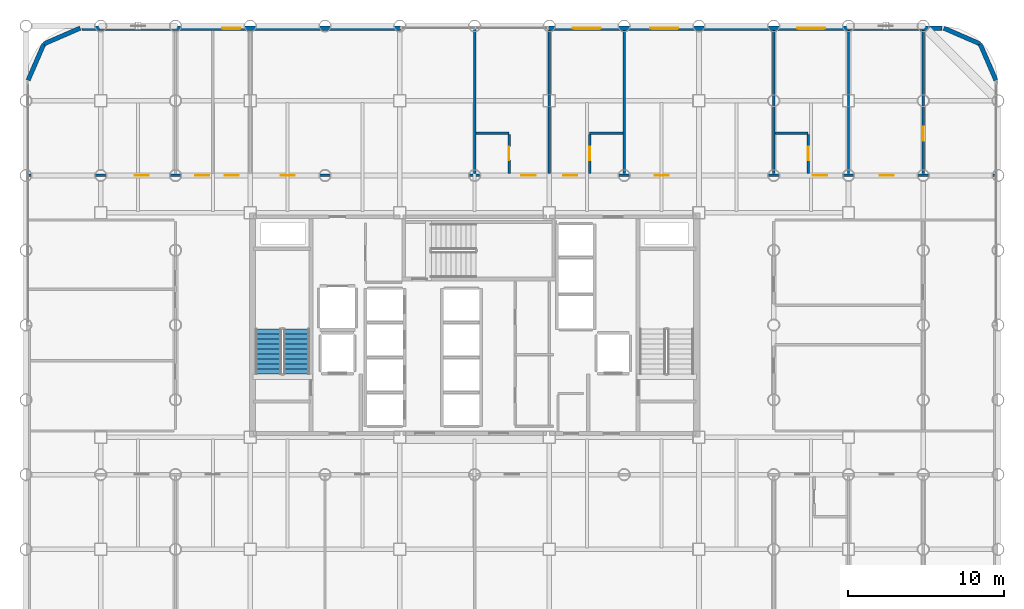
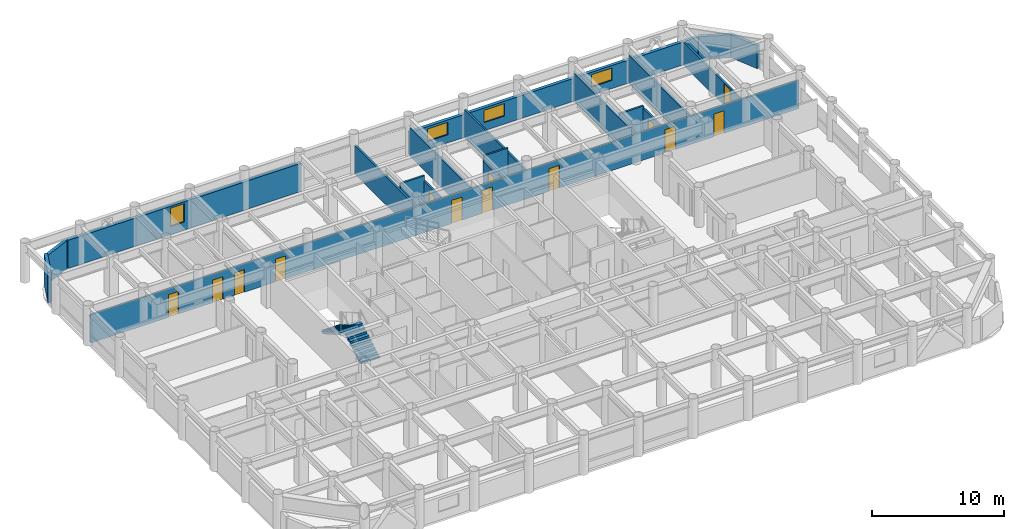
# One storey, part 17 of 19: 19 walls, 13 doors, 4 windows, 2 stair flights, 17 openings, 1 element without a shape of its own.
"""IFC4 building model written with IfcOpenShell, lengths in metres."""

from ifc_helpers import new_model, si_unit, direction, frame, frame_2d, origin, place, context, subcontext, project, spatial, polyline, rectangle, outline, extrude, material, layer, layer_set, type_object, element, fill, aggregate, save


model = new_model("IFC4")

# Units and contexts
model_context = context("Model", 3, precision=1e-05, world=origin(), true_north=direction((0.0, 1.0)))
body_context = subcontext(model_context, "Body", "Model", "MODEL_VIEW")
ifc_project = project(units=[si_unit("LENGTHUNIT", "METRE"), si_unit("AREAUNIT", "SQUARE_METRE"), si_unit("VOLUMEUNIT", "CUBIC_METRE"), si_unit("PLANEANGLEUNIT", "RADIAN"), si_unit("MASSUNIT", "GRAM", prefix="KILO")], contexts=[model_context])

# Site, building, storey
site_placement = place(None, origin())
site = spatial("IfcSite", under=ifc_project, at=site_placement, CompositionType="ELEMENT")
building_placement = place(site_placement, origin())
building = spatial("IfcBuilding", under=site, at=building_placement, Name="Kallvorn Hotel Tower", CompositionType="ELEMENT")
storey_placement = place(building_placement, frame((0.0, 0.0, 67.0)))
storey = spatial("IfcBuildingStorey", under=building, at=storey_placement, Name="L15", CompositionType="ELEMENT", Elevation=67.0)

# Wall, openings, doors
ifc_material_1 = material(Name="Fire-rated double-layer acoustic gypsum drywall EI 60")
ifc_layer_1 = layer(ifc_material_1, 0.159912109375)
ifc_layer_set_1 = layer_set([ifc_layer_1], Name="WL_DEMISE_160")
wall_type_1 = type_object("IfcWallType", Name="WL_DEMISE_160", PredefinedType="PARTITIONING", material=ifc_layer_set_1)
wall_1_placement = place(storey_placement, frame((-28.6298828125, 9.60009765625, 0.0), z_axis=(0.0, 0.0, 1.0), x_axis=(1.0, 0.0, 0.0)))
wall_1 = element("IfcWall", 1, at=wall_1_placement, inside=storey, type_object=wall_type_1, Name="L15 Suite 1502 Standard Twin Room Partition", PredefinedType="PARTITIONING", context=body_context, shape_type="SweptSolid", body=[
    extrude(rectangle(XDim=62.059814453125, YDim=0.159912109375, at=frame_2d((31.02978515625, 0.0))), origin(), (0.0, 0.0, 1.0), 2.6201171875),
])
opening_1_placement = place(wall_1_placement, frame((6.799560546875, 0.0, 0.0)))
opening_1 = element("IfcOpeningElement", 2, at=opening_1_placement, cuts=wall_1, Name="Opening SVD1", PredefinedType="OPENING", context=body_context, shape_type="SweptSolid", body=[
    extrude(rectangle(XDim=0.89990234375, YDim=2.10009765625, at=frame_2d((0.449951171875, 1.050048828125))), frame((0.0, 0.094970703125, 0.0), z_axis=(0.0, -1.0, 0.0), x_axis=(1.0, 0.0, 0.0)), (0.0, 0.0, 1.0), 0.18994140625),
])
opening_2_placement = place(wall_1_placement, frame((54.6201171875, 0.0, 0.0)))
opening_2 = element("IfcOpeningElement", 3, at=opening_2_placement, cuts=wall_1, Name="Opening SVD1", PredefinedType="OPENING", context=body_context, shape_type="SweptSolid", body=[
    extrude(rectangle(XDim=0.89990234375, YDim=2.10009765625, at=frame_2d((0.449951171875, 1.050048828125))), frame((0.0, 0.094970703125, 0.0), z_axis=(0.0, -1.0, 0.0), x_axis=(1.0, 0.0, 0.0)), (0.0, 0.0, 1.0), 0.18994140625),
])
opening_3_placement = place(wall_1_placement, frame((10.68994140625, 0.0, 0.0)))
opening_3 = element("IfcOpeningElement", 4, at=opening_3_placement, cuts=wall_1, Name="Opening SVD1", PredefinedType="OPENING", context=body_context, shape_type="SweptSolid", body=[
    extrude(rectangle(XDim=0.89990234375, YDim=2.10009765625, at=frame_2d((0.449951171875, 1.050048828125))), frame((0.0, 0.094970703125, 0.0), z_axis=(0.0, -1.0, 0.0), x_axis=(1.0, 0.0, 0.0)), (0.0, 0.0, 1.0), 0.18994140625),
])
opening_4_placement = place(wall_1_placement, frame((12.580078125, 0.0, 0.0)))
opening_4 = element("IfcOpeningElement", 5, at=opening_4_placement, cuts=wall_1, Name="Opening SVD1", PredefinedType="OPENING", context=body_context, shape_type="SweptSolid", body=[
    extrude(rectangle(XDim=0.89990234375, YDim=2.10009765625, at=frame_2d((0.449951171875, 1.050048828125))), frame((0.0, 0.094970703125, 0.0), z_axis=(0.0, -1.0, 0.0), x_axis=(1.0, 0.0, 0.0)), (0.0, 0.0, 1.0), 0.18994140625),
])
opening_5_placement = place(wall_1_placement, frame((16.179931640625, 0.0, 0.0)))
opening_5 = element("IfcOpeningElement", 6, at=opening_5_placement, cuts=wall_1, Name="Opening SVD1", PredefinedType="OPENING", context=body_context, shape_type="SweptSolid", body=[
    extrude(rectangle(XDim=0.89990234375, YDim=2.10009765625, at=frame_2d((0.449951171875, 1.050048828125))), frame((0.0, 0.094970703125, 0.0), z_axis=(0.0, -1.0, 0.0), x_axis=(1.0, 0.0, 0.0)), (0.0, 0.0, 1.0), 0.18994140625),
])
opening_6_placement = place(wall_1_placement, frame((31.635009765625, 0.0, 0.0)))
opening_6 = element("IfcOpeningElement", 7, at=opening_6_placement, cuts=wall_1, Name="Opening GD1", PredefinedType="OPENING", context=body_context, shape_type="SweptSolid", body=[
    extrude(rectangle(XDim=0.919921875, YDim=2.14990234375, at=frame_2d((0.4599609375, 1.074951171875))), frame((0.0, 0.094970703125, 0.0), z_axis=(0.0, -1.0, 0.0), x_axis=(1.0, 0.0, 0.0)), (0.0, 0.0, 1.0), 0.18994140625),
])
opening_7_placement = place(wall_1_placement, frame((34.304931640625, 0.0, 0.0)))
opening_7 = element("IfcOpeningElement", 8, at=opening_7_placement, cuts=wall_1, Name="Opening GD1", PredefinedType="OPENING", context=body_context, shape_type="SweptSolid", body=[
    extrude(rectangle(XDim=0.919921875, YDim=2.14990234375, at=frame_2d((0.4599609375, 1.074951171875))), frame((0.0, 0.094970703125, 0.0), z_axis=(0.0, -1.0, 0.0), x_axis=(1.0, 0.0, 0.0)), (0.0, 0.0, 1.0), 0.18994140625),
])
opening_8_placement = place(wall_1_placement, frame((40.179931640625, 0.0, 0.0)))
opening_8 = element("IfcOpeningElement", 9, at=opening_8_placement, cuts=wall_1, Name="Opening SVD1", PredefinedType="OPENING", context=body_context, shape_type="SweptSolid", body=[
    extrude(rectangle(XDim=0.89990234375, YDim=2.10009765625, at=frame_2d((0.449951171875, 1.050048828125))), frame((0.0, 0.094970703125, 0.0), z_axis=(0.0, -1.0, 0.0), x_axis=(1.0, 0.0, 0.0)), (0.0, 0.0, 1.0), 0.18994140625),
])
opening_9_placement = place(wall_1_placement, frame((50.340087890625, 0.0, 0.0)))
opening_9 = element("IfcOpeningElement", 10, at=opening_9_placement, cuts=wall_1, Name="Opening GD1", PredefinedType="OPENING", context=body_context, shape_type="SweptSolid", body=[
    extrude(rectangle(XDim=0.919921875, YDim=2.14990234375, at=frame_2d((0.4599609375, 1.074951171875))), frame((0.0, 0.094970703125, 0.0), z_axis=(0.0, -1.0, 0.0), x_axis=(1.0, 0.0, 0.0)), (0.0, 0.0, 1.0), 0.18994140625),
])
ifc_material_2 = material(Name="Solid-core walnut veneer fire-rated timber door leaf", Category="wood")
door_type_1 = type_object("IfcDoorType", Name="DR_GUEST_920x2150", OperationType="NOTDEFINED", PredefinedType="DOOR", material=ifc_material_2)
door_1_placement = place(opening_6_placement, origin())
door_1 = element("IfcDoor", 11, at=door_1_placement, inside=storey, type_object=door_type_1, Name="L15 Suite 1502 Standard Twin Room Door", OperationType="SINGLE_SWING_LEFT", OverallHeight=2.14990234375, OverallWidth=0.919921875, PredefinedType="DOOR", context=body_context, shape_type="SweptSolid", body=[
    extrude(rectangle(XDim=0.919921875, YDim=2.14990234375, at=frame_2d((0.4599609375, 1.074951171875))), frame((0.0, 0.02490234375, 0.0), z_axis=(0.0, -1.0, 0.0), x_axis=(1.0, 0.0, 0.0)), (0.0, 0.0, 1.0), 0.050048828125),
])
fill(opening_6, door_1)
door_2_placement = place(opening_7_placement, origin())
door_2 = element("IfcDoor", 12, at=door_2_placement, inside=storey, type_object=door_type_1, Name="L15 Suite 1503 Standard Twin Room Door", OperationType="SINGLE_SWING_RIGHT", OverallHeight=2.14990234375, OverallWidth=0.919921875, PredefinedType="DOOR", context=body_context, shape_type="SweptSolid", body=[
    extrude(rectangle(XDim=0.919921875, YDim=2.14990234375, at=frame_2d((0.4599609375, 1.074951171875))), frame((0.0, 0.02490234375, 0.0), z_axis=(0.0, -1.0, 0.0), x_axis=(1.0, 0.0, 0.0)), (0.0, 0.0, 1.0), 0.050048828125),
])
fill(opening_7, door_2)
door_3_placement = place(opening_9_placement, origin())
door_3 = element("IfcDoor", 13, at=door_3_placement, inside=storey, type_object=door_type_1, Name="L15 Suite 1504 Standard King Room Door", OperationType="SINGLE_SWING_LEFT", OverallHeight=2.14990234375, OverallWidth=0.919921875, PredefinedType="DOOR", context=body_context, shape_type="SweptSolid", body=[
    extrude(rectangle(XDim=0.919921875, YDim=2.14990234375, at=frame_2d((0.4599609375, 1.074951171875))), frame((0.0, 0.02490234375, 0.0), z_axis=(0.0, -1.0, 0.0), x_axis=(1.0, 0.0, 0.0)), (0.0, 0.0, 1.0), 0.050048828125),
])
fill(opening_9, door_3)
ifc_material_3 = material(Name="Galvanised painted steel fire-rated door assembly", Category="steel")
door_type_2 = type_object("IfcDoorType", Name="DR_SERV_900x2100", OperationType="NOTDEFINED", PredefinedType="DOOR", material=ifc_material_3)
door_4_placement = place(opening_1_placement, origin())
door_4 = element("IfcDoor", 14, at=door_4_placement, inside=storey, type_object=door_type_2, Name="L15 L15 North-West Fitness Gymnasium Door", OperationType="SINGLE_SWING_RIGHT", OverallHeight=2.10009765625, OverallWidth=0.89990234375, PredefinedType="DOOR", context=body_context, shape_type="SweptSolid", body=[
    extrude(rectangle(XDim=0.89990234375, YDim=2.10009765625, at=frame_2d((0.449951171875, 1.050048828125))), frame((0.0, 0.02490234375, 0.0), z_axis=(0.0, -1.0, 0.0), x_axis=(1.0, 0.0, 0.0)), (0.0, 0.0, 1.0), 0.050048828125),
])
fill(opening_1, door_4)
door_5_placement = place(opening_2_placement, origin())
door_5 = element("IfcDoor", 15, at=door_5_placement, inside=storey, type_object=door_type_2, Name="L15 L15 North-East Reading Club A Door", OperationType="SINGLE_SWING_RIGHT", OverallHeight=2.10009765625, OverallWidth=0.89990234375, PredefinedType="DOOR", context=body_context, shape_type="SweptSolid", body=[
    extrude(rectangle(XDim=0.89990234375, YDim=2.10009765625, at=frame_2d((0.449951171875, 1.050048828125))), frame((0.0, 0.02490234375, 0.0), z_axis=(0.0, -1.0, 0.0), x_axis=(1.0, 0.0, 0.0)), (0.0, 0.0, 1.0), 0.050048828125),
])
fill(opening_2, door_5)
door_6_placement = place(opening_3_placement, origin())
door_6 = element("IfcDoor", 16, at=door_6_placement, inside=storey, type_object=door_type_2, Name="L15 Housekeeping and Linen Room Door", OperationType="SINGLE_SWING_LEFT", OverallHeight=2.10009765625, OverallWidth=0.89990234375, PredefinedType="DOOR", context=body_context, shape_type="SweptSolid", body=[
    extrude(rectangle(XDim=0.89990234375, YDim=2.10009765625, at=frame_2d((0.449951171875, 1.050048828125))), frame((0.0, 0.02490234375, 0.0), z_axis=(0.0, -1.0, 0.0), x_axis=(1.0, 0.0, 0.0)), (0.0, 0.0, 1.0), 0.050048828125),
])
fill(opening_3, door_6)
door_7_placement = place(opening_4_placement, origin())
door_7 = element("IfcDoor", 17, at=door_7_placement, inside=storey, type_object=door_type_2, Name="L15 Guest Tea and Refreshment Bar Door", OperationType="SINGLE_SWING_RIGHT", OverallHeight=2.10009765625, OverallWidth=0.89990234375, PredefinedType="DOOR", context=body_context, shape_type="SweptSolid", body=[
    extrude(rectangle(XDim=0.89990234375, YDim=2.10009765625, at=frame_2d((0.449951171875, 1.050048828125))), frame((0.0, 0.02490234375, 0.0), z_axis=(0.0, -1.0, 0.0), x_axis=(1.0, 0.0, 0.0)), (0.0, 0.0, 1.0), 0.050048828125),
])
fill(opening_4, door_7)
door_8_placement = place(opening_5_placement, origin())
door_8 = element("IfcDoor", 18, at=door_8_placement, inside=storey, type_object=door_type_2, Name="L15 L15 Cordillera Botanical Tea Salon 2 Door", OperationType="SINGLE_SWING_RIGHT", OverallHeight=2.10009765625, OverallWidth=0.89990234375, PredefinedType="DOOR", context=body_context, shape_type="SweptSolid", body=[
    extrude(rectangle(XDim=0.89990234375, YDim=2.10009765625, at=frame_2d((0.449951171875, 1.050048828125))), frame((0.0, 0.02490234375, 0.0), z_axis=(0.0, -1.0, 0.0), x_axis=(1.0, 0.0, 0.0)), (0.0, 0.0, 1.0), 0.050048828125),
])
fill(opening_5, door_8)
door_9_placement = place(opening_8_placement, origin())
door_9 = element("IfcDoor", 19, at=door_9_placement, inside=storey, type_object=door_type_2, Name="L15 L15 Altitude Wellness Fitness Gymnasium 5 Door", OperationType="SINGLE_SWING_RIGHT", OverallHeight=2.10009765625, OverallWidth=0.89990234375, PredefinedType="DOOR", context=body_context, shape_type="SweptSolid", body=[
    extrude(rectangle(XDim=0.89990234375, YDim=2.10009765625, at=frame_2d((0.449951171875, 1.050048828125))), frame((0.0, 0.02490234375, 0.0), z_axis=(0.0, -1.0, 0.0), x_axis=(1.0, 0.0, 0.0)), (0.0, 0.0, 1.0), 0.050048828125),
])
fill(opening_8, door_9)

# Walls
wall_2_placement = place(storey_placement, frame((0.080078125, 12.320068359375, 0.0), z_axis=(0.0, 0.0, 1.0), x_axis=(1.0, 0.0, 0.0)))
element("IfcWall", 20, at=wall_2_placement, inside=storey, type_object=wall_type_1, Name="L15 Suite 1502 Standard Twin Room Partition", PredefinedType="PARTITIONING", context=body_context, shape_type="SweptSolid", body=[
    extrude(rectangle(XDim=2.1298828125, YDim=0.159912109375, at=frame_2d((1.06494140625, 0.0))), origin(), (0.0, 0.0, 1.0), 3.070068359375),
])
wall_3_placement = place(storey_placement, frame((7.389892578125, 12.320068359375, 0.0), z_axis=(0.0, 0.0, 1.0), x_axis=(1.0, 0.0, 0.0)))
element("IfcWall", 21, at=wall_3_placement, inside=storey, type_object=wall_type_1, Name="L15 Suite 1503 Standard Twin Room Partition", PredefinedType="PARTITIONING", context=body_context, shape_type="SweptSolid", body=[
    extrude(rectangle(XDim=2.130126953125, YDim=0.159912109375, at=frame_2d((1.06494140625, 0.0))), origin(), (0.0, 0.0, 1.0), 3.070068359375),
])
wall_4_placement = place(storey_placement, frame((19.280029296875, 12.320068359375, 0.0), z_axis=(0.0, 0.0, 1.0), x_axis=(1.0, 0.0, 0.0)))
element("IfcWall", 22, at=wall_4_placement, inside=storey, type_object=wall_type_1, Name="L15 Suite 1504 Standard King Room Partition", PredefinedType="PARTITIONING", context=body_context, shape_type="SweptSolid", body=[
    extrude(rectangle(XDim=2.1298828125, YDim=0.159912109375, at=frame_2d((1.06494140625, 0.0))), origin(), (0.0, 0.0, 1.0), 2.820068359375),
])
wall_5_placement = place(storey_placement, frame((0.0, 9.719970703125, 0.0), z_axis=(0.0, 0.0, 1.0), x_axis=(0.0, 1.0, 0.0)))
element("IfcWall", 23, at=wall_5_placement, inside=storey, type_object=wall_type_1, Name="L15 Suite 1502 Standard Twin Room Partition", PredefinedType="PARTITIONING", context=body_context, shape_type="SweptSolid", body=[
    extrude(rectangle(XDim=9.275146484375, YDim=0.159912109375, at=frame_2d((4.6376953125, 0.0))), origin(), (0.0, 0.0, 1.0), 2.6201171875),
])

# Wall, opening, door
wall_6_placement = place(storey_placement, frame((2.2099609375, 9.719970703125, 0.0), z_axis=(0.0, 0.0, 1.0), x_axis=(0.0, 1.0, 0.0)))
wall_6 = element("IfcWall", 24, at=wall_6_placement, inside=storey, type_object=wall_type_1, Name="L15 Suite 1502 Standard Twin Room Partition", PredefinedType="PARTITIONING", context=body_context, shape_type="SweptSolid", body=[
    extrude(rectangle(XDim=2.51513671875, YDim=0.159912109375, at=frame_2d((1.257568359375, 0.0))), origin(), (0.0, 0.0, 1.0), 2.6201171875),
])
opening_10_placement = place(wall_6_placement, frame((0.8701171875, 0.0, 0.0)))
opening_10 = element("IfcOpeningElement", 25, at=opening_10_placement, cuts=wall_6, Name="Opening BD-I", PredefinedType="OPENING", context=body_context, shape_type="SweptSolid", body=[
    extrude(rectangle(XDim=0.860107421875, YDim=2.10009765625, at=frame_2d((0.43017578125, 1.050048828125))), frame((0.0, 0.094970703125, 0.0), z_axis=(0.0, -1.0, 0.0), x_axis=(1.0, 0.0, 0.0)), (0.0, 0.0, 1.0), 0.18994140625),
])
ifc_material_4 = material(Name="Solid-core walnut veneer fire-rated timber door leaf", Category="wood")
door_type_3 = type_object("IfcDoorType", Name="DR_BATH_860x2100", OperationType="NOTDEFINED", PredefinedType="DOOR", material=ifc_material_4)
door_10_placement = place(opening_10_placement, origin())
door_10 = element("IfcDoor", 26, at=door_10_placement, inside=storey, type_object=door_type_3, Name="L15 Suite 1502 En-Suite Bathroom Door", OperationType="SINGLE_SWING_RIGHT", OverallHeight=2.10009765625, OverallWidth=0.860107421875, PredefinedType="DOOR", context=body_context, shape_type="SweptSolid", body=[
    extrude(rectangle(XDim=0.860107421875, YDim=2.10009765625, at=frame_2d((0.43017578125, 1.050048828125))), frame((0.0, 0.02490234375, 0.0), z_axis=(0.0, -1.0, 0.0), x_axis=(1.0, 0.0, 0.0)), (0.0, 0.0, 1.0), 0.050048828125),
])
fill(opening_10, door_10)

# Wall
wall_7_placement = place(storey_placement, frame((4.800048828125, 9.719970703125, 0.0), z_axis=(0.0, 0.0, 1.0), x_axis=(0.0, 1.0, 0.0)))
element("IfcWall", 27, at=wall_7_placement, inside=storey, type_object=wall_type_1, Name="L15 Suite 1502 Standard Twin Room Partition", PredefinedType="PARTITIONING", context=body_context, shape_type="SweptSolid", body=[
    extrude(rectangle(XDim=9.18994140625, YDim=0.159912109375, at=frame_2d((4.594970703125, 0.0))), origin(), (0.0, 0.0, 1.0), 2.6201171875),
])

# Wall, opening, door
wall_8_placement = place(storey_placement, frame((7.389892578125, 9.719970703125, 0.0), z_axis=(0.0, 0.0, 1.0), x_axis=(0.0, 1.0, 0.0)))
wall_8 = element("IfcWall", 28, at=wall_8_placement, inside=storey, type_object=wall_type_1, Name="L15 Suite 1503 Standard Twin Room Partition", PredefinedType="PARTITIONING", context=body_context, shape_type="SweptSolid", body=[
    extrude(rectangle(XDim=2.51513671875, YDim=0.159912109375, at=frame_2d((1.257568359375, 0.0))), origin(), (0.0, 0.0, 1.0), 2.6201171875),
])
opening_11_placement = place(wall_8_placement, frame((0.8701171875, 0.0, 0.0)))
opening_11 = element("IfcOpeningElement", 29, at=opening_11_placement, cuts=wall_8, Name="Opening BD-I", PredefinedType="OPENING", context=body_context, shape_type="SweptSolid", body=[
    extrude(rectangle(XDim=0.860107421875, YDim=2.10009765625, at=frame_2d((0.43017578125, 1.050048828125))), frame((0.0, 0.094970703125, 0.0), z_axis=(0.0, -1.0, 0.0), x_axis=(1.0, 0.0, 0.0)), (0.0, 0.0, 1.0), 0.18994140625),
])
door_11_placement = place(opening_11_placement, origin())
door_11 = element("IfcDoor", 30, at=door_11_placement, inside=storey, type_object=door_type_3, Name="L15 Suite 1503 En-Suite Bathroom Door", OperationType="SINGLE_SWING_RIGHT", OverallHeight=2.10009765625, OverallWidth=0.860107421875, PredefinedType="DOOR", context=body_context, shape_type="SweptSolid", body=[
    extrude(rectangle(XDim=0.860107421875, YDim=2.10009765625, at=frame_2d((0.43017578125, 1.050048828125))), frame((0.0, 0.02490234375, 0.0), z_axis=(0.0, -1.0, 0.0), x_axis=(1.0, 0.0, 0.0)), (0.0, 0.0, 1.0), 0.050048828125),
])
fill(opening_11, door_11)

# Walls
for number, where, z_axis, x_axis, name in (
    (31, (9.60009765625, 9.719970703125, 0.0), (0.0, 0.0, 1.0), (0.0, 1.0, 0.0), "L15 Suite 1503 Standard Twin Room Partition"),
    (32, (19.199951171875, 9.719970703125, 0.0), (0.0, 0.0, 1.0), (0.0, 1.0, 0.0), "L15 Suite 1504 Standard King Room Partition"),
):
    element("IfcWall", number, at=place(storey_placement, frame(where, z_axis=z_axis, x_axis=x_axis)), inside=storey, type_object=wall_type_1, Name=name, PredefinedType="PARTITIONING", context=body_context, shape_type="SweptSolid", body=[
        extrude(rectangle(XDim=9.18994140625, YDim=0.159912109375, at=frame_2d((4.594970703125, 0.0))), origin(), (0.0, 0.0, 1.0), 2.6201171875),
    ])

# Wall, opening, door
wall_9_placement = place(storey_placement, frame((21.409912109375, 9.719970703125, 0.0), z_axis=(0.0, 0.0, 1.0), x_axis=(0.0, 1.0, 0.0)))
wall_9 = element("IfcWall", 33, at=wall_9_placement, inside=storey, type_object=wall_type_1, Name="L15 Suite 1504 Standard King Room Partition", PredefinedType="PARTITIONING", context=body_context, shape_type="SweptSolid", body=[
    extrude(rectangle(XDim=2.51513671875, YDim=0.159912109375, at=frame_2d((1.257568359375, 0.0))), origin(), (0.0, 0.0, 1.0), 2.6201171875),
])
opening_12_placement = place(wall_9_placement, frame((0.8701171875, 0.0, 0.0)))
opening_12 = element("IfcOpeningElement", 34, at=opening_12_placement, cuts=wall_9, Name="Opening BD-I", PredefinedType="OPENING", context=body_context, shape_type="SweptSolid", body=[
    extrude(rectangle(XDim=0.860107421875, YDim=2.10009765625, at=frame_2d((0.43017578125, 1.050048828125))), frame((0.0, 0.094970703125, 0.0), z_axis=(0.0, -1.0, 0.0), x_axis=(1.0, 0.0, 0.0)), (0.0, 0.0, 1.0), 0.18994140625),
])
door_12_placement = place(opening_12_placement, origin())
door_12 = element("IfcDoor", 35, at=door_12_placement, inside=storey, type_object=door_type_3, Name="L15 Suite 1504 En-Suite Bathroom Door", OperationType="SINGLE_SWING_RIGHT", OverallHeight=2.10009765625, OverallWidth=0.860107421875, PredefinedType="DOOR", context=body_context, shape_type="SweptSolid", body=[
    extrude(rectangle(XDim=0.860107421875, YDim=2.10009765625, at=frame_2d((0.43017578125, 1.050048828125))), frame((0.0, 0.02490234375, 0.0), z_axis=(0.0, -1.0, 0.0), x_axis=(1.0, 0.0, 0.0)), (0.0, 0.0, 1.0), 0.050048828125),
])
fill(opening_12, door_12)

# Walls
wall_10_placement = place(storey_placement, frame((24.0, 9.719970703125, 0.0), z_axis=(0.0, 0.0, 1.0), x_axis=(0.0, 1.0, 0.0)))
element("IfcWall", 36, at=wall_10_placement, inside=storey, type_object=wall_type_1, Name="L15 Suite 1504 Standard King Room Partition", PredefinedType="PARTITIONING", context=body_context, shape_type="SweptSolid", body=[
    extrude(rectangle(XDim=9.18994140625, YDim=0.159912109375, at=frame_2d((4.594970703125, 0.0))), origin(), (0.0, 0.0, 1.0), 2.6201171875),
])
ifc_material_5 = material(Name="Precast basalt-clad insulated concrete wall C40/50", Category="masonry")
ifc_layer_2 = layer(ifc_material_5, 0.280029296875)
ifc_layer_set_2 = layer_set([ifc_layer_2], Name="WL_EXT_LOGGIA_280")
wall_type_2 = type_object("IfcWallType", Name="WL_EXT_LOGGIA_280", PredefinedType="SOLIDWALL", material=ifc_layer_set_2)
wall_11_placement = place(storey_placement, frame((33.4580078125, 15.720703125, 0.0), z_axis=(0.0, 0.0, 1.0), x_axis=(-0.398792985289, 0.917040977756, 0.0)))
element("IfcWall", 37, at=wall_11_placement, inside=storey, type_object=wall_type_2, Name="L15 Rounded Corner Exterior Wall NE1", PredefinedType="SOLIDWALL", context=body_context, shape_type="SweptSolid", body=[
    extrude(rectangle(XDim=2.536376953125, YDim=0.280029296875, at=frame_2d((1.26806640625, 0.0))), origin(), (0.0, 0.0, 1.0), 2.1201171875),
])
wall_12_placement = place(storey_placement, frame((32.446533203125, 18.046630859375, 0.0), z_axis=(0.0, 0.0, 1.0), x_axis=(-0.917060872934, 0.398747232384, 0.0)))
element("IfcWall", 38, at=wall_12_placement, inside=storey, type_object=wall_type_2, Name="L15 Rounded Corner Exterior Wall NE2", PredefinedType="SOLIDWALL", context=body_context, shape_type="SweptSolid", body=[
    extrude(rectangle(XDim=2.5361328125, YDim=0.280029296875, at=frame_2d((1.26806640625, 0.0))), origin(), (0.0, 0.0, 1.0), 2.1201171875),
])
wall_13_placement = place(storey_placement, frame((-25.32080078125, 19.057861328125, 0.0), z_axis=(0.0, 0.0, 1.0), x_axis=(-0.917060872934, -0.398747232384, 0.0)))
element("IfcWall", 39, at=wall_13_placement, inside=storey, type_object=wall_type_2, Name="L15 Rounded Corner Exterior Wall NW1", PredefinedType="SOLIDWALL", context=body_context, shape_type="SweptSolid", body=[
    extrude(rectangle(XDim=2.5361328125, YDim=0.280029296875, at=frame_2d((1.26806640625, 0.0))), origin(), (0.0, 0.0, 1.0), 2.6201171875),
])
wall_14_placement = place(storey_placement, frame((-27.646484375, 18.046630859375, 0.0), z_axis=(0.0, 0.0, 1.0), x_axis=(-0.398792985289, -0.917040977756, 0.0)))
element("IfcWall", 40, at=wall_14_placement, inside=storey, type_object=wall_type_2, Name="L15 Rounded Corner Exterior Wall NW2", PredefinedType="SOLIDWALL", context=body_context, shape_type="SweptSolid", body=[
    extrude(rectangle(XDim=2.536376953125, YDim=0.280029296875, at=frame_2d((1.26806640625, 0.0))), origin(), (0.0, 0.0, 1.0), 2.820068359375),
])

# Wall, opening, window
wall_15_placement = place(storey_placement, frame((-25.199951171875, 19.06005859375, 0.0), z_axis=(0.0, 0.0, 1.0), x_axis=(1.0, 0.0, 0.0)))
wall_15 = element("IfcWall", 41, at=wall_15_placement, inside=storey, type_object=wall_type_2, Name="L15 Exterior Envelope Wall EW-L15-NW", PredefinedType="SOLIDWALL", context=body_context, shape_type="SweptSolid", body=[
    extrude(rectangle(XDim=20.449951171875, YDim=0.280029296875, at=frame_2d((10.22509765625, 0.0))), origin(), (0.0, 0.0, 1.0), 2.6201171875),
])
opening_13_placement = place(wall_15_placement, frame((9.0, 0.0, 0.75)))
opening_13 = element("IfcOpeningElement", 42, at=opening_13_placement, cuts=wall_15, Name="Opening W06", PredefinedType="OPENING", context=body_context, shape_type="SweptSolid", body=[
    extrude(rectangle(XDim=1.199951171875, YDim=1.699951171875, at=frame_2d((0.60009765625, 0.85009765625))), frame((0.0, 0.155029296875, 0.0), z_axis=(0.0, -1.0, 0.0), x_axis=(1.0, 0.0, 0.0)), (0.0, 0.0, 1.0), 0.31005859375),
])
ifc_material_6 = material(Name="Triple-glazed low-e acoustic solar-control dark glass", Category="glass")
window_type_1 = type_object("IfcWindowType", Name="WN_HTL_1200x1700", PartitioningType="SINGLE_PANEL", PredefinedType="WINDOW", material=ifc_material_6)
window_1_placement = place(opening_13_placement, origin())
window_1 = element("IfcWindow", 43, at=window_1_placement, inside=storey, type_object=window_type_1, Name="L15 Guestroom Exterior Window 03", OverallHeight=1.699951171875, OverallWidth=1.199951171875, PartitioningType="SINGLE_PANEL", PredefinedType="WINDOW", context=body_context, shape_type="SweptSolid", body=[
    extrude(rectangle(XDim=1.199951171875, YDim=1.699951171875, at=frame_2d((0.60009765625, 0.85009765625))), frame((0.0, 0.030029296875, 0.0), z_axis=(0.0, -1.0, 0.0), x_axis=(1.0, 0.0, 0.0)), (0.0, 0.0, 1.0), 0.06005859375),
])
fill(opening_13, window_1)

# Wall, openings, windows
wall_16_placement = place(storey_placement, frame((4.75, 19.06005859375, 0.0), z_axis=(0.0, 0.0, 1.0), x_axis=(1.0, 0.0, 0.0)))
wall_16 = element("IfcWall", 44, at=wall_16_placement, inside=storey, type_object=wall_type_2, Name="L15 Exterior Envelope Wall EW-L15-NE", PredefinedType="SOLIDWALL", context=body_context, shape_type="SweptSolid", body=[
    extrude(rectangle(XDim=25.25, YDim=0.280029296875, at=frame_2d((12.625, 0.0))), origin(), (0.0, 0.0, 1.0), 2.1201171875),
])
opening_14_placement = place(wall_16_placement, frame((1.550048828125, 0.0, 0.75)))
opening_14 = element("IfcOpeningElement", 45, at=opening_14_placement, cuts=wall_16, Name="Opening W04A", PredefinedType="OPENING", context=body_context, shape_type="SweptSolid", body=[
    extrude(rectangle(XDim=1.800048828125, YDim=1.14990234375, at=frame_2d((0.89990234375, 0.574951171875))), frame((0.0, 0.155029296875, 0.0), z_axis=(0.0, -1.0, 0.0), x_axis=(1.0, 0.0, 0.0)), (0.0, 0.0, 1.0), 0.31005859375),
])
opening_15_placement = place(wall_16_placement, frame((6.530029296875, 0.0, 0.75)))
opening_15 = element("IfcOpeningElement", 46, at=opening_15_placement, cuts=wall_16, Name="Opening W04A", PredefinedType="OPENING", context=body_context, shape_type="SweptSolid", body=[
    extrude(rectangle(XDim=1.800048828125, YDim=1.14990234375, at=frame_2d((0.89990234375, 0.574951171875))), frame((0.0, 0.155029296875, 0.0), z_axis=(0.0, -1.0, 0.0), x_axis=(1.0, 0.0, 0.0)), (0.0, 0.0, 1.0), 0.31005859375),
])
opening_16_placement = place(wall_16_placement, frame((15.949951171875, 0.0, 0.75)))
opening_16 = element("IfcOpeningElement", 47, at=opening_16_placement, cuts=wall_16, Name="Opening W04A", PredefinedType="OPENING", context=body_context, shape_type="SweptSolid", body=[
    extrude(rectangle(XDim=1.800048828125, YDim=1.14990234375, at=frame_2d((0.89990234375, 0.574951171875))), frame((0.0, 0.155029296875, 0.0), z_axis=(0.0, -1.0, 0.0), x_axis=(1.0, 0.0, 0.0)), (0.0, 0.0, 1.0), 0.31005859375),
])
ifc_material_7 = material(Name="Double-glazed low-e solar-control dark glass", Category="glass")
window_type_2 = type_object("IfcWindowType", Name="WN_HTL_1800x1150", PartitioningType="SINGLE_PANEL", PredefinedType="WINDOW", material=ifc_material_7)
window_2_placement = place(opening_14_placement, origin())
window_2 = element("IfcWindow", 48, at=window_2_placement, inside=storey, type_object=window_type_2, Name="L15 Guestroom Exterior Window 04", OverallHeight=1.14990234375, OverallWidth=1.800048828125, PartitioningType="SINGLE_PANEL", PredefinedType="WINDOW", context=body_context, shape_type="SweptSolid", body=[
    extrude(rectangle(XDim=1.800048828125, YDim=1.14990234375, at=frame_2d((0.89990234375, 0.574951171875))), frame((0.0, 0.030029296875, 0.0), z_axis=(0.0, -1.0, 0.0), x_axis=(1.0, 0.0, 0.0)), (0.0, 0.0, 1.0), 0.06005859375),
])
fill(opening_14, window_2)
window_3_placement = place(opening_15_placement, origin())
window_3 = element("IfcWindow", 49, at=window_3_placement, inside=storey, type_object=window_type_2, Name="L15 Guestroom Exterior Window 05", OverallHeight=1.14990234375, OverallWidth=1.800048828125, PartitioningType="SINGLE_PANEL", PredefinedType="WINDOW", context=body_context, shape_type="SweptSolid", body=[
    extrude(rectangle(XDim=1.800048828125, YDim=1.14990234375, at=frame_2d((0.89990234375, 0.574951171875))), frame((0.0, 0.030029296875, 0.0), z_axis=(0.0, -1.0, 0.0), x_axis=(1.0, 0.0, 0.0)), (0.0, 0.0, 1.0), 0.06005859375),
])
fill(opening_15, window_3)
window_4_placement = place(opening_16_placement, origin())
window_4 = element("IfcWindow", 50, at=window_4_placement, inside=storey, type_object=window_type_2, Name="L15 Guestroom Exterior Window 06", OverallHeight=1.14990234375, OverallWidth=1.800048828125, PartitioningType="SINGLE_PANEL", PredefinedType="WINDOW", context=body_context, shape_type="SweptSolid", body=[
    extrude(rectangle(XDim=1.800048828125, YDim=1.14990234375, at=frame_2d((0.89990234375, 0.574951171875))), frame((0.0, 0.030029296875, 0.0), z_axis=(0.0, -1.0, 0.0), x_axis=(1.0, 0.0, 0.0)), (0.0, 0.0, 1.0), 0.06005859375),
])
fill(opening_16, window_4)

# Wall, opening, door
ifc_material_8 = material(Name="Fire-rated double-layer acoustic gypsum drywall EI 60")
ifc_layer_3 = layer(ifc_material_8, 0.14990234375)
ifc_layer_set_3 = layer_set([ifc_layer_3], Name="WL_PART_150")
wall_type_3 = type_object("IfcWallType", Name="WL_PART_150", PredefinedType="PARTITIONING", material=ifc_layer_set_3)
wall_17_placement = place(storey_placement, frame((28.800048828125, 9.719970703125, 0.0), z_axis=(0.0, 0.0, 1.0), x_axis=(0.0, 1.0, 0.0)))
wall_17 = element("IfcWall", 51, at=wall_17_placement, inside=storey, type_object=wall_type_3, Name="L15 L15 North-East Reading Club A Partition", PredefinedType="PARTITIONING", context=body_context, shape_type="SweptSolid", body=[
    extrude(rectangle(XDim=9.18994140625, YDim=0.14990234375, at=frame_2d((4.594970703125, 0.0))), origin(), (0.0, 0.0, 1.0), 2.1201171875),
])
opening_17_placement = place(wall_17_placement, frame((2.10791015625, 0.0, 0.0)))
opening_17 = element("IfcOpeningElement", 52, at=opening_17_placement, cuts=wall_17, Name="Opening SVD1A", PredefinedType="OPENING", context=body_context, shape_type="SweptSolid", body=[
    extrude(rectangle(XDim=0.89990234375, YDim=2.02001953125, at=frame_2d((0.449951171875, 1.010009765625))), frame((0.0, 0.08984375, 0.0), z_axis=(0.0, -1.0, 0.0), x_axis=(1.0, 0.0, 0.0)), (0.0, 0.0, 1.0), 0.179931640625),
])
ifc_material_9 = material(Name="Galvanised painted steel fire-rated door assembly", Category="steel")
door_type_4 = type_object("IfcDoorType", Name="DR_SERV_900x2020", OperationType="NOTDEFINED", PredefinedType="DOOR", material=ifc_material_9)
door_13_placement = place(opening_17_placement, origin())
door_13 = element("IfcDoor", 53, at=door_13_placement, inside=storey, type_object=door_type_4, Name="L15 L15 North-East Reading Club B Door", OperationType="SINGLE_SWING_RIGHT", OverallHeight=2.02001953125, OverallWidth=0.89990234375, PredefinedType="DOOR", context=body_context, shape_type="SweptSolid", body=[
    extrude(rectangle(XDim=0.89990234375, YDim=2.02001953125, at=frame_2d((0.449951171875, 1.010009765625))), frame((0.0, 0.02490234375, 0.0), z_axis=(0.0, -1.0, 0.0), x_axis=(1.0, 0.0, 0.0)), (0.0, 0.0, 1.0), 0.050048828125),
])
fill(opening_17, door_13)

# Stair, stair flights
ifc_material_10 = material(Name="Precast concrete C40/50", Category="concrete")
stair_type = type_object("IfcStairType", Name="STR_CORE_DOGLEG", PredefinedType="HALF_TURN_STAIR", material=ifc_material_10)
stair_placement = place(storey_placement, origin())
stair = element("IfcStair", 54, at=stair_placement, inside=storey, type_object=stair_type, Name="L15 Exit stair ST1", PredefinedType="HALF_TURN_STAIR")
ifc_material_11 = material(Name="Precast concrete C40/50", Category="concrete")
stair_flight_type = type_object("IfcStairFlightType", Name="FLT_CORE_1660", PredefinedType="STRAIGHT", material=ifc_material_11)
stair_flight_1_placement = place(storey_placement, frame((-11.429931640625, -3.139892578125, 0.0), z_axis=(0.0, 0.0, 1.0), x_axis=(0.0, 1.0, 0.0)))
stair_flight_1 = element("IfcStairFlight", 55, at=stair_flight_1_placement, type_object=stair_flight_type, Name="ST1 flight 1", NumberOfRisers=10, NumberOfTreads=9, PredefinedType="STRAIGHT", RiserHeight=0.185, TreadLength=0.32, context=body_context, shape_type="SweptSolid", body=[
    extrude(outline(polyline([(0.0, 0.0), (0.0, 0.18505859375), (0.320068359375, 0.18505859375), (0.320068359375, 0.3701171875), (0.639892578125, 0.3701171875), (0.639892578125, 0.554931640625), (0.9599609375, 0.554931640625), (0.9599609375, 0.739990234375), (1.280029296875, 0.739990234375), (1.280029296875, 0.925048828125), (1.60009765625, 0.925048828125), (1.60009765625, 1.110107421875), (1.919921875, 1.110107421875), (1.919921875, 1.294921875), (2.239990234375, 1.294921875), (2.239990234375, 1.47998046875), (2.56005859375, 1.47998046875), (2.56005859375, 1.6650390625), (2.8798828125, 1.6650390625), (2.8798828125, 1.85009765625), (2.8798828125, 1.491943359375), (0.299560546875, 0.0), (0.0, 0.0)])), frame((0.0, 0.830078125, 0.0), z_axis=(0.0, -1.0, 0.0), x_axis=(1.0, 0.0, 0.0)), (0.0, 0.0, 1.0), 1.659912109375),
])
stair_flight_2_placement = place(storey_placement, frame((-13.22998046875, -0.260009765625, 1.85009765625), z_axis=(0.0, 0.0, 1.0), x_axis=(0.0, -1.0, 0.0)))
stair_flight_2 = element("IfcStairFlight", 56, at=stair_flight_2_placement, type_object=stair_flight_type, Name="ST1 flight 2", NumberOfRisers=10, NumberOfTreads=9, PredefinedType="STRAIGHT", RiserHeight=0.185, TreadLength=0.32, context=body_context, shape_type="SweptSolid", body=[
    extrude(outline(polyline([(0.0, 0.0), (0.0, 0.18505859375), (0.320068359375, 0.18505859375), (0.320068359375, 0.3701171875), (0.639892578125, 0.3701171875), (0.639892578125, 0.554931640625), (0.9599609375, 0.554931640625), (0.9599609375, 0.739990234375), (1.280029296875, 0.739990234375), (1.280029296875, 0.925048828125), (1.60009765625, 0.925048828125), (1.60009765625, 1.110107421875), (1.919921875, 1.110107421875), (1.919921875, 1.294921875), (2.239990234375, 1.294921875), (2.239990234375, 1.47998046875), (2.56005859375, 1.47998046875), (2.56005859375, 1.6650390625), (2.8798828125, 1.6650390625), (2.8798828125, 1.85009765625), (2.8798828125, 1.491943359375), (0.299560546875, 0.0), (0.0, 0.0)])), frame((0.0, 0.830078125, 0.0), z_axis=(0.0, -1.0, 0.0), x_axis=(1.0, 0.0, 0.0)), (0.0, 0.0, 1.0), 1.659912109375),
])
aggregate(stair, [stair_flight_1, stair_flight_2])

save(model, "model.ifc")
